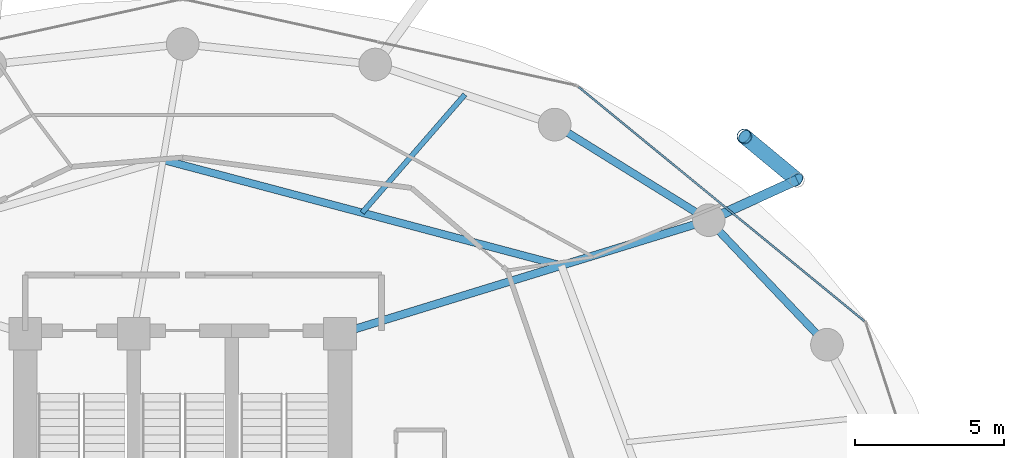
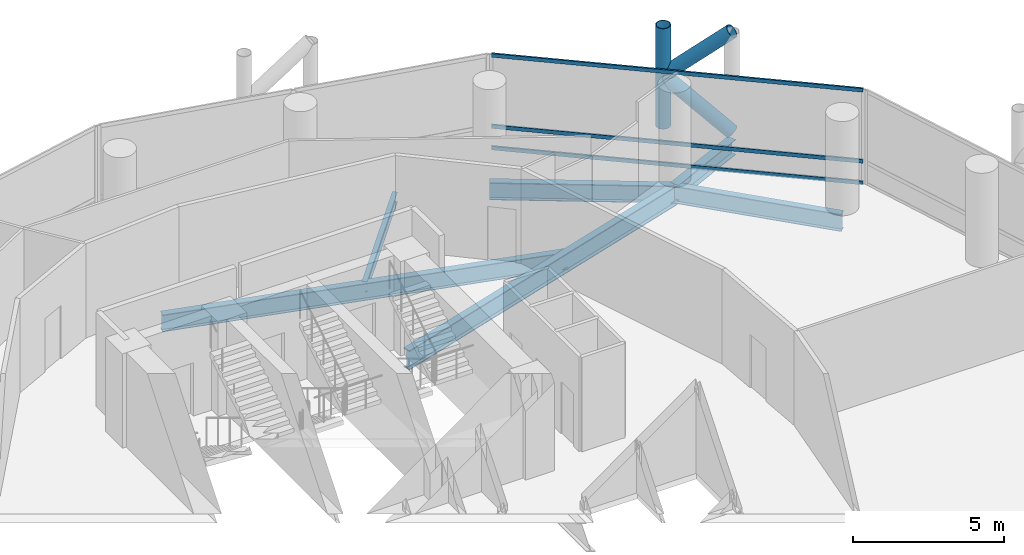
# One storey, part 17 of 25: 6 beams, 6 members, 1 element without a shape of its own.
"""IFC4 building model written with IfcOpenShell, lengths in metres."""

from ifc_helpers import new_model, si_unit, direction, frame, origin, origin_2d, place, context, subcontext, project, spatial, hollow_rectangle, hollow_circle, i_section, extrude, material, layer, layer_set, material_profile, profile_set, type_object, element, aggregate, save


model = new_model("IFC4")

# Units and contexts
model_context = context("Model", 3, precision=1e-05, world=origin(), true_north=direction((0.0, 1.0)))
body_context = subcontext(model_context, "Body", "Model", "MODEL_VIEW")
ifc_project = project(units=[si_unit("LENGTHUNIT", "METRE"), si_unit("AREAUNIT", "SQUARE_METRE"), si_unit("VOLUMEUNIT", "CUBIC_METRE"), si_unit("PLANEANGLEUNIT", "RADIAN"), si_unit("MASSUNIT", "GRAM", prefix="KILO")], contexts=[model_context])

# Site, building, storey
site_placement = place(None, origin())
site = spatial("IfcSite", under=ifc_project, at=site_placement, CompositionType="ELEMENT")
building_placement = place(site_placement, origin())
building = spatial("IfcBuilding", under=site, at=building_placement, Name="Nuhasar Tower", CompositionType="ELEMENT")
storey_placement = place(building_placement, frame((0.0, 0.0, 57.449951171875)))
storey = spatial("IfcBuildingStorey", under=building, at=storey_placement, Name="L13", CompositionType="ELEMENT", Elevation=57.449951171875)

# Beams
ifc_material_1 = material(Name="Steel S355", Category="steel")
ifc_material_profile_1 = material_profile(ifc_material_1, i_section(OverallWidth=0.25390625, OverallDepth=0.68408203125, WebThickness=0.012451171875, FlangeThickness=0.018798828125, at=origin_2d()), Name="W27X94")
ifc_profile_set_1 = profile_set([ifc_material_profile_1], Name="Steel S355")
beam_type_1 = type_object("IfcBeamType", Name="BM-INRING-W27X94", PredefinedType="BEAM", material=ifc_profile_set_1)
beam_1_placement = place(storey_placement, frame((51.748046875, 39.591064453125, -0.592041015625), z_axis=(-0.96653253005, 0.256544086574, 0.0), x_axis=(-0.256544086574, -0.96653253005, 0.0)))
element("IfcBeam", 1, at=beam_1_placement, inside=storey, type_object=beam_type_1, Name="L13 Inner Header Beam 05", PredefinedType="BEAM", context=body_context, shape_type="SweptSolid", body=[
    extrude(i_section(OverallWidth=0.25390625, OverallDepth=0.68408203125, WebThickness=0.012451171875, FlangeThickness=0.018798828125, at=origin_2d()), origin(), (0.0, 0.0, 1.0), 13.872314453125),
])
ifc_material_profile_2 = material_profile(ifc_material_1, i_section(OverallWidth=0.177978515625, OverallDepth=0.406005859375, WebThickness=0.0078125, FlangeThickness=0.0126953125, at=origin_2d()), Name="W16X40")
ifc_profile_set_2 = profile_set([ifc_material_profile_2], Name="Steel S355")
beam_type_2 = type_object("IfcBeamType", Name="BM-JST-W16X40", PredefinedType="JOIST", material=ifc_profile_set_2)
beam_2_placement = place(storey_placement, frame((45.0439453125, 41.3701171875, -0.452880859375), z_axis=(0.656174129694, 0.754609509296, 0.0), x_axis=(-0.754609509296, 0.656174129694, 0.0)))
element("IfcBeam", 2, at=beam_2_placement, inside=storey, type_object=beam_type_2, Name="L13 Secondary Floor Joist 05", PredefinedType="JOIST", context=body_context, shape_type="SweptSolid", body=[
    extrude(i_section(OverallWidth=0.177978515625, OverallDepth=0.406005859375, WebThickness=0.0078125, FlangeThickness=0.0126953125, at=origin_2d()), origin(), (0.0, 0.0, 1.0), 5.27294921875),
])
ifc_material_profile_3 = material_profile(ifc_material_1, i_section(OverallWidth=0.26611328125, OverallDepth=0.779052734375, WebThickness=0.0166015625, FlangeThickness=0.030029296875, at=origin_2d()), Name="W30X148")
ifc_profile_set_3 = profile_set([ifc_material_profile_3], Name="Steel S355")
beam_type_3 = type_object("IfcBeamType", Name="BM-RAD-W30X148", PredefinedType="BEAM", material=ifc_profile_set_3)
beam_3_placement = place(storey_placement, frame((44.300048828125, 37.300048828125, -0.638916015625), z_axis=(0.955789576103, 0.294051502653, 0.0), x_axis=(-0.294051502653, 0.955789576103, 0.0)))
element("IfcBeam", 3, at=beam_3_placement, inside=storey, type_object=beam_type_3, Name="L13 Radial Floor Girder 05", PredefinedType="BEAM", context=body_context, shape_type="SweptSolid", body=[
    extrude(i_section(OverallWidth=0.26611328125, OverallDepth=0.779052734375, WebThickness=0.0166015625, FlangeThickness=0.030029296875, at=origin_2d()), origin(), (0.0, 0.0, 1.0), 12.987060546875),
])
ifc_material_profile_4 = material_profile(ifc_material_1, i_section(OverallWidth=0.256103515625, OverallDepth=0.693115234375, WebThickness=0.014404296875, FlangeThickness=0.023681640625, at=origin_2d()), Name="W27X114")
ifc_profile_set_4 = profile_set([ifc_material_profile_4], Name="Steel S355")
beam_type_4 = type_object("IfcBeamType", Name="BM-RING-W27X114", PredefinedType="SPANDREL", material=ifc_profile_set_4)
beam_4_placement = place(storey_placement, frame((60.694091796875, 36.925048828125, -0.595947265625), z_axis=(-0.688480893507, 0.725254478976, 0.0), x_axis=(-0.725254478976, -0.688480893507, 0.0)))
element("IfcBeam", 4, at=beam_4_placement, inside=storey, type_object=beam_type_4, Name="L13 Perimeter Ring Spandrel 03", PredefinedType="SPANDREL", context=body_context, shape_type="SweptSolid", body=[
    extrude(i_section(OverallWidth=0.256103515625, OverallDepth=0.693115234375, WebThickness=0.014404296875, FlangeThickness=0.023681640625, at=origin_2d()), origin(), (0.0, 0.0, 1.0), 5.782470703125),
])
beam_5_placement = place(storey_placement, frame((56.712890625, 41.118896484375, -0.595947265625), z_axis=(-0.849795216549, 0.527112976439, 0.0), x_axis=(-0.527112976439, -0.849795216549, 0.0)))
element("IfcBeam", 5, at=beam_5_placement, inside=storey, type_object=beam_type_4, Name="L13 Perimeter Ring Spandrel 04", PredefinedType="SPANDREL", context=body_context, shape_type="SweptSolid", body=[
    extrude(i_section(OverallWidth=0.256103515625, OverallDepth=0.693115234375, WebThickness=0.014404296875, FlangeThickness=0.023681640625, at=origin_2d()), origin(), (0.0, 0.0, 1.0), 6.10498046875),
])
ifc_material_profile_5 = material_profile(ifc_material_1, i_section(OverallWidth=0.323974609375, OverallDepth=0.611083984375, WebThickness=0.0126953125, FlangeThickness=0.01904296875, at=origin_2d()), Name="W24X104")
ifc_profile_set_5 = profile_set([ifc_material_profile_5], Name="Steel S355")
beam_type_5 = type_object("IfcBeamType", Name="BM-TIE-W24X104", PredefinedType="BEAM", material=ifc_profile_set_5)
beam_6_placement = place(storey_placement, frame((56.712890625, 41.118896484375, -0.554931640625), z_axis=(0.910243528587, 0.414073325227, 0.0), x_axis=(-0.414073325227, 0.910243528587, 0.0)))
element("IfcBeam", 6, at=beam_6_placement, inside=storey, type_object=beam_type_5, Name="L13 Exoskeleton Node Tie Beam 02", PredefinedType="BEAM", context=body_context, shape_type="SweptSolid", body=[
    extrude(i_section(OverallWidth=0.323974609375, OverallDepth=0.611083984375, WebThickness=0.0126953125, FlangeThickness=0.01904296875, at=origin_2d()), origin(), (0.0, 0.0, 1.0), 3.26513671875),
])

# Curtain wall, members
ifc_material_2 = material(Name="Aluminium 6063-T6", Category="aluminium")
ifc_layer = layer(ifc_material_2, 0.199951171875)
ifc_layer_set = layer_set([ifc_layer], Name="Aluminium 6063-T6")
curtain_wall_type = type_object("IfcCurtainWallType", Name="CW-Z1-OFF", PredefinedType="NOTDEFINED", material=ifc_layer_set)
curtain_wall_placement = place(storey_placement, origin())
curtain_wall = element("IfcCurtainWall", 7, at=curtain_wall_placement, inside=storey, type_object=curtain_wall_type, Name="L13 Unitised Curtain Wall 02", PredefinedType="NOTDEFINED")
ifc_material_profile_6 = material_profile(ifc_material_2, hollow_rectangle(XDim=0.06494140625, YDim=0.14990234375, WallThickness=0.00439453125, at=origin_2d()), Name="CWT-2")
ifc_profile_set_6 = profile_set([ifc_material_profile_6], Name="Aluminium 6063-T6")
member_type_1 = type_object("IfcMemberType", Name="CW-TRN-S2", PredefinedType="USERDEFINED", material=ifc_profile_set_6)
member_1_placement = place(storey_placement, frame((61.95166015625, 37.72119140625, 0.032470703125), z_axis=(-0.773540851599, 0.633746440548, 0.0), x_axis=(-0.633746440548, -0.773540851599, 0.0)))
member_1 = element("IfcMember", 8, at=member_1_placement, type_object=member_type_1, Name="CW-Z1 transom 1.1", ObjectType="TRANSOM", PredefinedType="USERDEFINED", context=body_context, shape_type="SweptSolid", body=[
    extrude(hollow_rectangle(XDim=0.06494140625, YDim=0.14990234375, WallThickness=0.00439453125, at=origin_2d()), origin(), (0.0, 0.0, 1.0), 12.43798828125),
])
member_2_placement = place(storey_placement, frame((61.95166015625, 37.72119140625, 0.900146484375), z_axis=(-0.773540851599, 0.633746440548, 0.0), x_axis=(-0.633746440548, -0.773540851599, 0.0)))
member_2 = element("IfcMember", 9, at=member_2_placement, type_object=member_type_1, Name="CW-Z1 transom 1.2", ObjectType="TRANSOM", PredefinedType="USERDEFINED", context=body_context, shape_type="SweptSolid", body=[
    extrude(hollow_rectangle(XDim=0.06494140625, YDim=0.14990234375, WallThickness=0.00439453125, at=origin_2d()), origin(), (0.0, 0.0, 1.0), 12.43798828125),
])
member_3_placement = place(storey_placement, frame((61.95166015625, 37.72119140625, 3.767578125), z_axis=(-0.773540851599, 0.633746440548, 0.0), x_axis=(-0.633746440548, -0.773540851599, 0.0)))
member_3 = element("IfcMember", 10, at=member_3_placement, type_object=member_type_1, Name="CW-Z1 transom 1.3", ObjectType="TRANSOM", PredefinedType="USERDEFINED", context=body_context, shape_type="SweptSolid", body=[
    extrude(hollow_rectangle(XDim=0.06494140625, YDim=0.14990234375, WallThickness=0.00439453125, at=origin_2d()), origin(), (0.0, 0.0, 1.0), 12.43798828125),
])
aggregate(curtain_wall, [member_1, member_2, member_3])

# Members
ifc_material_3 = material(Name="Steel S460", Category="steel")
ifc_material_profile_7 = material_profile(ifc_material_3, hollow_circle(Radius=0.25390625, WallThickness=0.025390625, at=origin_2d()), Name="HSS508X25.4")
ifc_profile_set_7 = profile_set([ifc_material_profile_7], Name="Steel S460")
member_type_2 = type_object("IfcMemberType", Name="EXO-BRONZE-508", PredefinedType="BRACE", material=ifc_profile_set_7)
member_4_placement = place(storey_placement, frame((57.9130859375, 43.93896484375, 0.0), z_axis=(0.0, 0.0, 1.0), x_axis=(1.0, 0.0, 0.0)))
element("IfcMember", 11, at=member_4_placement, inside=storey, type_object=member_type_2, Name="L13 Exoskeleton Chord Column EC-02B", PredefinedType="BRACE", context=body_context, shape_type="SweptSolid", body=[
    extrude(hollow_circle(Radius=0.25390625, WallThickness=0.025390625, at=origin_2d()), origin(), (0.0, 0.0, 1.0), 4.050048828125),
])
member_5_placement = place(storey_placement, frame((59.68505859375, 42.470947265625, 0.0), z_axis=(-0.578071194894, 0.478911834514, 0.660664172175), x_axis=(-0.637969333506, -0.770061769929, 0.0)))
element("IfcMember", 12, at=member_5_placement, inside=storey, type_object=member_type_2, Name="L13 Bronze Diagrid Brace W1-02", PredefinedType="BRACE", context=body_context, shape_type="SweptSolid", body=[
    extrude(hollow_circle(Radius=0.25390625, WallThickness=0.025390625, at=origin_2d()), origin(), (0.0, 0.0, 1.0), 3.0654296875),
])
member_6_placement = place(storey_placement, frame((57.9130859375, 43.93896484375, 2.025146484375), z_axis=(0.578101613167, -0.478937034992, 0.660619286251), x_axis=(0.637969333506, 0.770061769929, 0.0)))
element("IfcMember", 13, at=member_6_placement, inside=storey, type_object=member_type_2, Name="L13 Bronze Diagrid Brace W2-02", PredefinedType="BRACE", context=body_context, shape_type="SweptSolid", body=[
    extrude(hollow_circle(Radius=0.25390625, WallThickness=0.025390625, at=origin_2d()), origin(), (0.0, 0.0, 1.0), 3.065185546875),
])

save(model, "model.ifc")
